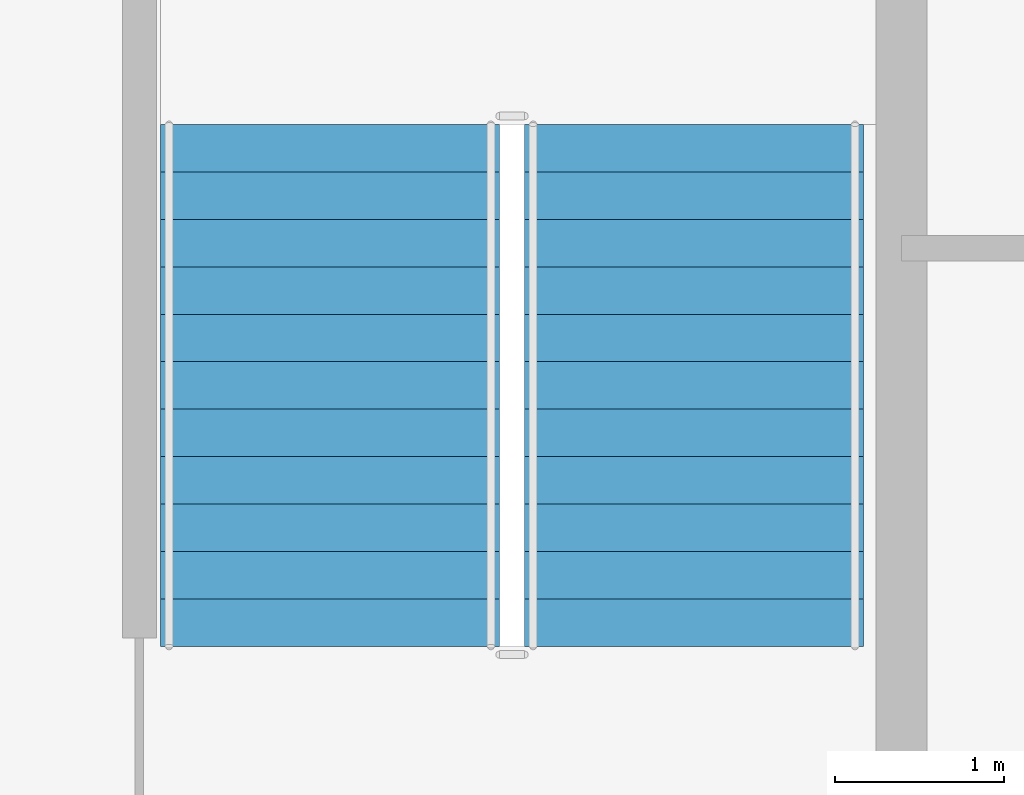
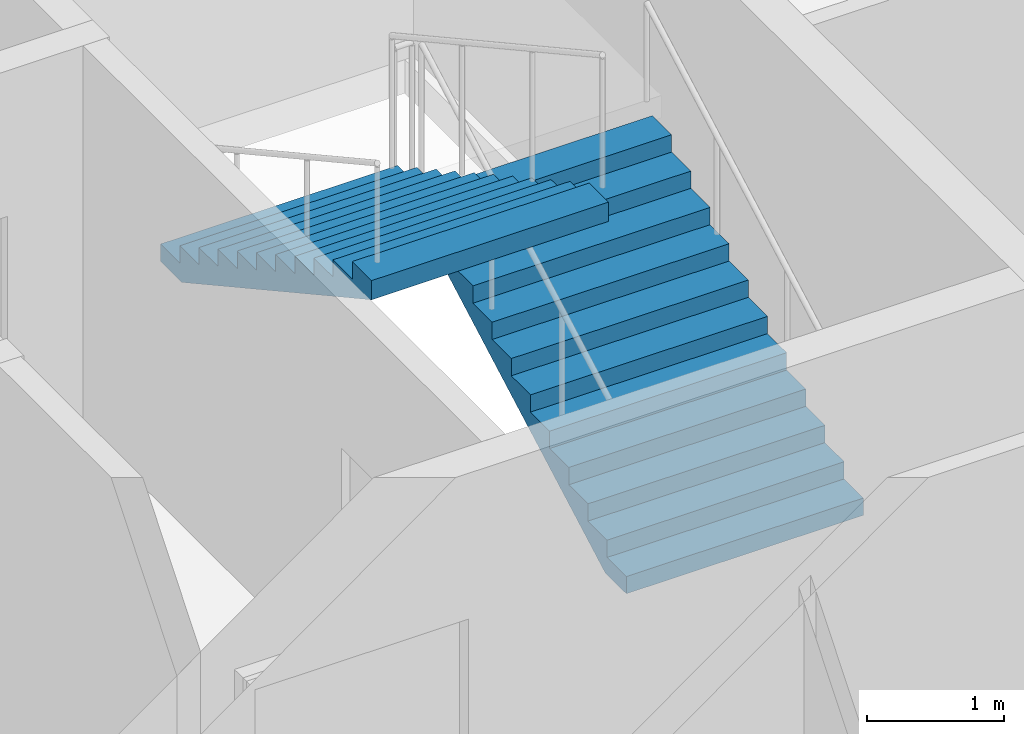
# One storey, part 12 of 18: 2 stair flights, 1 element without a shape of its own.
"""IFC4 building model written with IfcOpenShell, lengths in metres."""

from ifc_helpers import new_model, si_unit, direction, frame, origin, place, context, subcontext, project, spatial, polygons, material, type_object, element, aggregate, save


model = new_model("IFC4")

# Units and contexts
model_context = context("Model", 3, precision=1e-05, world=origin(), true_north=direction((0.0, 1.0)))
body_context = subcontext(model_context, "Body", "Model", "MODEL_VIEW")
ifc_project = project(units=[si_unit("LENGTHUNIT", "METRE"), si_unit("AREAUNIT", "SQUARE_METRE"), si_unit("VOLUMEUNIT", "CUBIC_METRE"), si_unit("PLANEANGLEUNIT", "RADIAN"), si_unit("MASSUNIT", "GRAM", prefix="KILO")], contexts=[model_context])

# Site, building, storey
site_placement = place(None, origin())
site = spatial("IfcSite", under=ifc_project, at=site_placement, CompositionType="ELEMENT")
building_placement = place(site_placement, origin())
building = spatial("IfcBuilding", under=site, at=building_placement, Name="Caravel Reach Hotel and Residences", CompositionType="ELEMENT")
storey_placement = place(building_placement, frame((0.0, 0.0, 176.5)))
storey = spatial("IfcBuildingStorey", under=building, at=storey_placement, Name="L44", CompositionType="ELEMENT", Elevation=176.5)

# Stair, stair flights
ifc_material_1 = material(Name="Concrete C40", Category="concrete")
stair_type = type_object("IfcStairType", Name="Core stair", PredefinedType="HALF_TURN_STAIR", material=ifc_material_1)
stair_placement = place(storey_placement, origin())
stair = element("IfcStair", 1, at=stair_placement, inside=storey, type_object=stair_type, Name="L44 Exit stair B", PredefinedType="HALF_TURN_STAIR")
ifc_material_2 = material(Name="Concrete C40", Category="concrete")
stair_flight_type = type_object("IfcStairFlightType", Name="Core stair flight", PredefinedType="STRAIGHT", material=ifc_material_2)
stair_flight_1_placement = place(storey_placement, frame((43.77490234375, 24.64990234375, 0.0), z_axis=(0.0, 0.0, 1.0), x_axis=(0.0, 1.0, 0.0)))
stair_flight_1 = element("IfcStairFlight", 2, at=stair_flight_1_placement, type_object=stair_flight_type, Name="ST-B flight 1", NumberOfRisers=12, NumberOfTreads=11, PredefinedType="STRAIGHT", RiserHeight=0.154166667, TreadLength=0.28, context=body_context, shape_type="Tessellation", body=[
    polygons([(0.3107950034306102, 1.0, 0.0), (0.3107950034306102, 0.6666666666666667, 0.0), (0.3107950034306102, 0.33333333333333337, 0.0), (0.3107950034306102, 0.0, 0.0), (0.3107950034306102, -0.33333333333333326, 0.0), (0.3107950034306102, -0.6666666666666667, 0.0), (0.3107950034306102, -1.0, 0.0), (3.081, 1.0, 1.524711087717319), (3.081, 0.6666666666666667, 1.524711087717319), (3.081, 0.33333333333333337, 1.524711087717319), (3.081, 0.0, 1.524711087717319), (3.081, -0.33333333333333326, 1.524711087717319), (3.081, -0.6666666666666667, 1.524711087717319), (3.081, -1.0, 1.524711087717319), (3.081, 1.0, 1.695833337), (3.081, 0.6666666666666667, 1.695833337), (3.081, 0.33333333333333337, 1.695833337), (3.081, 0.0, 1.695833337), (3.081, -0.33333333333333326, 1.695833337), (3.081, -0.6666666666666667, 1.695833337), (3.081, -1.0, 1.695833337), (2.8000000000000003, 1.0, 1.695833337), (2.8000000000000003, 0.6666666666666667, 1.695833337), (2.8000000000000003, 0.33333333333333337, 1.695833337), (2.8000000000000003, 0.0, 1.695833337), (2.8000000000000003, -0.33333333333333326, 1.695833337), (2.8000000000000003, -0.6666666666666667, 1.695833337), (2.8000000000000003, -1.0, 1.695833337), (2.8000000000000003, 1.0, 1.5416666700000001), (2.8000000000000003, 0.6666666666666667, 1.5416666700000001), (2.8000000000000003, 0.33333333333333337, 1.5416666700000001), (2.8000000000000003, 0.0, 1.5416666700000001), (2.8000000000000003, -0.33333333333333326, 1.5416666700000001), (2.8000000000000003, -0.6666666666666667, 1.5416666700000001), (2.8000000000000003, -1.0, 1.5416666700000001), (2.5200000000000005, 1.0, 1.5416666700000001), (2.5200000000000005, 0.6666666666666667, 1.5416666700000001), (2.5200000000000005, 0.33333333333333337, 1.5416666700000001), (2.5200000000000005, 0.0, 1.5416666700000001), (2.5200000000000005, -0.33333333333333326, 1.5416666700000001), (2.5200000000000005, -0.6666666666666667, 1.5416666700000001), (2.5200000000000005, -1.0, 1.5416666700000001), (2.5200000000000005, 1.0, 1.387500003), (2.5200000000000005, 0.6666666666666667, 1.387500003), (2.5200000000000005, 0.33333333333333337, 1.387500003), (2.5200000000000005, 0.0, 1.387500003), (2.5200000000000005, -0.33333333333333326, 1.387500003), (2.5200000000000005, -0.6666666666666667, 1.387500003), (2.5200000000000005, -1.0, 1.387500003), (2.24, 1.0, 1.387500003), (2.24, 0.6666666666666667, 1.387500003), (2.24, 0.33333333333333337, 1.387500003), (2.24, 0.0, 1.387500003), (2.24, -0.33333333333333326, 1.387500003), (2.24, -0.6666666666666667, 1.387500003), (2.24, -1.0, 1.387500003), (2.24, 1.0, 1.233333336), (2.24, 0.6666666666666667, 1.233333336), (2.24, 0.33333333333333337, 1.233333336), (2.24, 0.0, 1.233333336), (2.24, -0.33333333333333326, 1.233333336), (2.24, -0.6666666666666667, 1.233333336), (2.24, -1.0, 1.233333336), (1.9600000000000002, 1.0, 1.233333336), (1.9600000000000002, 0.6666666666666667, 1.233333336), (1.9600000000000002, 0.33333333333333337, 1.233333336), (1.9600000000000002, 0.0, 1.233333336), (1.9600000000000002, -0.33333333333333326, 1.233333336), (1.9600000000000002, -0.6666666666666667, 1.233333336), (1.9600000000000002, -1.0, 1.233333336), (1.9600000000000002, 1.0, 1.0791666690000001), (1.9600000000000002, 0.6666666666666667, 1.0791666690000001), (1.9600000000000002, 0.33333333333333337, 1.0791666690000001), (1.9600000000000002, 0.0, 1.0791666690000001), (1.9600000000000002, -0.33333333333333326, 1.0791666690000001), (1.9600000000000002, -0.6666666666666667, 1.0791666690000001), (1.9600000000000002, -1.0, 1.0791666690000001), (1.6800000000000002, 1.0, 1.0791666690000001), (1.6800000000000002, 0.6666666666666667, 1.0791666690000001), (1.6800000000000002, 0.33333333333333337, 1.0791666690000001), (1.6800000000000002, 0.0, 1.0791666690000001), (1.6800000000000002, -0.33333333333333326, 1.0791666690000001), (1.6800000000000002, -0.6666666666666667, 1.0791666690000001), (1.6800000000000002, -1.0, 1.0791666690000001), (1.6800000000000002, 1.0, 0.925000002), (1.6800000000000002, 0.6666666666666667, 0.925000002), (1.6800000000000002, 0.33333333333333337, 0.925000002), (1.6800000000000002, 0.0, 0.925000002), (1.6800000000000002, -0.33333333333333326, 0.925000002), (1.6800000000000002, -0.6666666666666667, 0.925000002), (1.6800000000000002, -1.0, 0.925000002), (1.4000000000000001, 1.0, 0.925000002), (1.4000000000000001, 0.6666666666666667, 0.925000002), (1.4000000000000001, 0.33333333333333337, 0.925000002), (1.4000000000000001, 0.0, 0.925000002), (1.4000000000000001, -0.33333333333333326, 0.925000002), (1.4000000000000001, -0.6666666666666667, 0.925000002), (1.4000000000000001, -1.0, 0.925000002), (1.4000000000000001, 1.0, 0.7708333350000001), (1.4000000000000001, 0.6666666666666667, 0.7708333350000001), (1.4000000000000001, 0.33333333333333337, 0.7708333350000001), (1.4000000000000001, 0.0, 0.7708333350000001), (1.4000000000000001, -0.33333333333333326, 0.7708333350000001), (1.4000000000000001, -0.6666666666666667, 0.7708333350000001), (1.4000000000000001, -1.0, 0.7708333350000001), (1.12, 1.0, 0.7708333350000001), (1.12, 0.6666666666666667, 0.7708333350000001), (1.12, 0.33333333333333337, 0.7708333350000001), (1.12, 0.0, 0.7708333350000001), (1.12, -0.33333333333333326, 0.7708333350000001), (1.12, -0.6666666666666667, 0.7708333350000001), (1.12, -1.0, 0.7708333350000001), (1.12, 1.0, 0.616666668), (1.12, 0.6666666666666667, 0.616666668), (1.12, 0.33333333333333337, 0.616666668), (1.12, 0.0, 0.616666668), (1.12, -0.33333333333333326, 0.616666668), (1.12, -0.6666666666666667, 0.616666668), (1.12, -1.0, 0.616666668), (0.8400000000000001, 1.0, 0.616666668), (0.8400000000000001, 0.6666666666666667, 0.616666668), (0.8400000000000001, 0.33333333333333337, 0.616666668), (0.8400000000000001, 0.0, 0.616666668), (0.8400000000000001, -0.33333333333333326, 0.616666668), (0.8400000000000001, -0.6666666666666667, 0.616666668), (0.8400000000000001, -1.0, 0.616666668), (0.8400000000000001, 1.0, 0.462500001), (0.8400000000000001, 0.6666666666666667, 0.462500001), (0.8400000000000001, 0.33333333333333337, 0.462500001), (0.8400000000000001, 0.0, 0.462500001), (0.8400000000000001, -0.33333333333333326, 0.462500001), (0.8400000000000001, -0.6666666666666667, 0.462500001), (0.8400000000000001, -1.0, 0.462500001), (0.56, 1.0, 0.462500001), (0.56, 0.6666666666666667, 0.462500001), (0.56, 0.33333333333333337, 0.462500001), (0.56, 0.0, 0.462500001), (0.56, -0.33333333333333326, 0.462500001), (0.56, -0.6666666666666667, 0.462500001), (0.56, -1.0, 0.462500001), (0.56, 1.0, 0.308333334), (0.56, 0.6666666666666667, 0.308333334), (0.56, 0.33333333333333337, 0.308333334), (0.56, 0.0, 0.308333334), (0.56, -0.33333333333333326, 0.308333334), (0.56, -0.6666666666666667, 0.308333334), (0.56, -1.0, 0.308333334), (0.28, 1.0, 0.308333334), (0.28, 0.6666666666666667, 0.308333334), (0.28, 0.33333333333333337, 0.308333334), (0.28, 0.0, 0.308333334), (0.28, -0.33333333333333326, 0.308333334), (0.28, -0.6666666666666667, 0.308333334), (0.28, -1.0, 0.308333334), (0.28, 1.0, 0.154166667), (0.28, 0.6666666666666667, 0.154166667), (0.28, 0.33333333333333337, 0.154166667), (0.28, 0.0, 0.154166667), (0.28, -0.33333333333333326, 0.154166667), (0.28, -0.6666666666666667, 0.154166667), (0.28, -1.0, 0.154166667), (-0.001, 1.0, 0.154166667), (-0.001, 0.6666666666666667, 0.154166667), (-0.001, 0.33333333333333337, 0.154166667), (-0.001, 0.0, 0.154166667), (-0.001, -0.33333333333333326, 0.154166667), (-0.001, -0.6666666666666667, 0.154166667), (-0.001, -1.0, 0.154166667), (-0.001, 1.0, 0.0), (-0.001, 0.6666666666666667, 0.0), (-0.001, 0.33333333333333337, 0.0), (-0.001, 0.0, 0.0), (-0.001, -0.33333333333333326, 0.0), (-0.001, -0.6666666666666667, 0.0), (-0.001, -1.0, 0.0)], [[[169, 162, 155, 148, 141, 134, 127, 120, 113, 106, 99, 92, 85, 78, 71, 64, 57, 50, 43, 36, 29, 22, 15, 8, 1]], [[7, 14, 21, 28, 35, 42, 49, 56, 63, 70, 77, 84, 91, 98, 105, 112, 119, 126, 133, 140, 147, 154, 161, 168, 175]], [[1, 8, 9, 2]], [[2, 9, 10, 3]], [[3, 10, 11, 4]], [[4, 11, 12, 5]], [[5, 12, 13, 6]], [[6, 13, 14, 7]], [[8, 15, 16, 9]], [[9, 16, 17, 10]], [[10, 17, 18, 11]], [[11, 18, 19, 12]], [[12, 19, 20, 13]], [[13, 20, 21, 14]], [[15, 22, 23, 16]], [[16, 23, 24, 17]], [[17, 24, 25, 18]], [[18, 25, 26, 19]], [[19, 26, 27, 20]], [[20, 27, 28, 21]], [[22, 29, 30, 23]], [[23, 30, 31, 24]], [[24, 31, 32, 25]], [[25, 32, 33, 26]], [[26, 33, 34, 27]], [[27, 34, 35, 28]], [[29, 36, 37, 30]], [[30, 37, 38, 31]], [[31, 38, 39, 32]], [[32, 39, 40, 33]], [[33, 40, 41, 34]], [[34, 41, 42, 35]], [[36, 43, 44, 37]], [[37, 44, 45, 38]], [[38, 45, 46, 39]], [[39, 46, 47, 40]], [[40, 47, 48, 41]], [[41, 48, 49, 42]], [[43, 50, 51, 44]], [[44, 51, 52, 45]], [[45, 52, 53, 46]], [[46, 53, 54, 47]], [[47, 54, 55, 48]], [[48, 55, 56, 49]], [[50, 57, 58, 51]], [[51, 58, 59, 52]], [[52, 59, 60, 53]], [[53, 60, 61, 54]], [[54, 61, 62, 55]], [[55, 62, 63, 56]], [[57, 64, 65, 58]], [[58, 65, 66, 59]], [[59, 66, 67, 60]], [[60, 67, 68, 61]], [[61, 68, 69, 62]], [[62, 69, 70, 63]], [[64, 71, 72, 65]], [[65, 72, 73, 66]], [[66, 73, 74, 67]], [[67, 74, 75, 68]], [[68, 75, 76, 69]], [[69, 76, 77, 70]], [[71, 78, 79, 72]], [[72, 79, 80, 73]], [[73, 80, 81, 74]], [[74, 81, 82, 75]], [[75, 82, 83, 76]], [[76, 83, 84, 77]], [[78, 85, 86, 79]], [[79, 86, 87, 80]], [[80, 87, 88, 81]], [[81, 88, 89, 82]], [[82, 89, 90, 83]], [[83, 90, 91, 84]], [[85, 92, 93, 86]], [[86, 93, 94, 87]], [[87, 94, 95, 88]], [[88, 95, 96, 89]], [[89, 96, 97, 90]], [[90, 97, 98, 91]], [[92, 99, 100, 93]], [[93, 100, 101, 94]], [[94, 101, 102, 95]], [[95, 102, 103, 96]], [[96, 103, 104, 97]], [[97, 104, 105, 98]], [[99, 106, 107, 100]], [[100, 107, 108, 101]], [[101, 108, 109, 102]], [[102, 109, 110, 103]], [[103, 110, 111, 104]], [[104, 111, 112, 105]], [[106, 113, 114, 107]], [[107, 114, 115, 108]], [[108, 115, 116, 109]], [[109, 116, 117, 110]], [[110, 117, 118, 111]], [[111, 118, 119, 112]], [[113, 120, 121, 114]], [[114, 121, 122, 115]], [[115, 122, 123, 116]], [[116, 123, 124, 117]], [[117, 124, 125, 118]], [[118, 125, 126, 119]], [[120, 127, 128, 121]], [[121, 128, 129, 122]], [[122, 129, 130, 123]], [[123, 130, 131, 124]], [[124, 131, 132, 125]], [[125, 132, 133, 126]], [[127, 134, 135, 128]], [[128, 135, 136, 129]], [[129, 136, 137, 130]], [[130, 137, 138, 131]], [[131, 138, 139, 132]], [[132, 139, 140, 133]], [[134, 141, 142, 135]], [[135, 142, 143, 136]], [[136, 143, 144, 137]], [[137, 144, 145, 138]], [[138, 145, 146, 139]], [[139, 146, 147, 140]], [[141, 148, 149, 142]], [[142, 149, 150, 143]], [[143, 150, 151, 144]], [[144, 151, 152, 145]], [[145, 152, 153, 146]], [[146, 153, 154, 147]], [[148, 155, 156, 149]], [[149, 156, 157, 150]], [[150, 157, 158, 151]], [[151, 158, 159, 152]], [[152, 159, 160, 153]], [[153, 160, 161, 154]], [[155, 162, 163, 156]], [[156, 163, 164, 157]], [[157, 164, 165, 158]], [[158, 165, 166, 159]], [[159, 166, 167, 160]], [[160, 167, 168, 161]], [[162, 169, 170, 163]], [[163, 170, 171, 164]], [[164, 171, 172, 165]], [[165, 172, 173, 166]], [[166, 173, 174, 167]], [[167, 174, 175, 168]], [[169, 1, 2, 170]], [[170, 2, 3, 171]], [[171, 3, 4, 172]], [[172, 4, 5, 173]], [[173, 5, 6, 174]], [[174, 6, 7, 175]]], closed=True),
])
stair_flight_2_placement = place(storey_placement, frame((41.625, 27.72998046875, 1.85009765625), z_axis=(0.0, 0.0, 1.0), x_axis=(0.0, -1.0, 0.0)))
stair_flight_2 = element("IfcStairFlight", 3, at=stair_flight_2_placement, type_object=stair_flight_type, Name="ST-B flight 2", NumberOfRisers=12, NumberOfTreads=11, PredefinedType="STRAIGHT", RiserHeight=0.154166667, TreadLength=0.28, context=body_context, shape_type="Tessellation", body=[
    polygons([(0.3107950034306102, 1.0, 0.0), (0.3107950034306102, 0.6666666666666667, 0.0), (0.3107950034306102, 0.33333333333333337, 0.0), (0.3107950034306102, 0.0, 0.0), (0.3107950034306102, -0.33333333333333326, 0.0), (0.3107950034306102, -0.6666666666666667, 0.0), (0.3107950034306102, -1.0, 0.0), (3.081, 1.0, 1.524711087717319), (3.081, 0.6666666666666667, 1.524711087717319), (3.081, 0.33333333333333337, 1.524711087717319), (3.081, 0.0, 1.524711087717319), (3.081, -0.33333333333333326, 1.524711087717319), (3.081, -0.6666666666666667, 1.524711087717319), (3.081, -1.0, 1.524711087717319), (3.081, 1.0, 1.695833337), (3.081, 0.6666666666666667, 1.695833337), (3.081, 0.33333333333333337, 1.695833337), (3.081, 0.0, 1.695833337), (3.081, -0.33333333333333326, 1.695833337), (3.081, -0.6666666666666667, 1.695833337), (3.081, -1.0, 1.695833337), (2.8000000000000003, 1.0, 1.695833337), (2.8000000000000003, 0.6666666666666667, 1.695833337), (2.8000000000000003, 0.33333333333333337, 1.695833337), (2.8000000000000003, 0.0, 1.695833337), (2.8000000000000003, -0.33333333333333326, 1.695833337), (2.8000000000000003, -0.6666666666666667, 1.695833337), (2.8000000000000003, -1.0, 1.695833337), (2.8000000000000003, 1.0, 1.5416666700000001), (2.8000000000000003, 0.6666666666666667, 1.5416666700000001), (2.8000000000000003, 0.33333333333333337, 1.5416666700000001), (2.8000000000000003, 0.0, 1.5416666700000001), (2.8000000000000003, -0.33333333333333326, 1.5416666700000001), (2.8000000000000003, -0.6666666666666667, 1.5416666700000001), (2.8000000000000003, -1.0, 1.5416666700000001), (2.5200000000000005, 1.0, 1.5416666700000001), (2.5200000000000005, 0.6666666666666667, 1.5416666700000001), (2.5200000000000005, 0.33333333333333337, 1.5416666700000001), (2.5200000000000005, 0.0, 1.5416666700000001), (2.5200000000000005, -0.33333333333333326, 1.5416666700000001), (2.5200000000000005, -0.6666666666666667, 1.5416666700000001), (2.5200000000000005, -1.0, 1.5416666700000001), (2.5200000000000005, 1.0, 1.387500003), (2.5200000000000005, 0.6666666666666667, 1.387500003), (2.5200000000000005, 0.33333333333333337, 1.387500003), (2.5200000000000005, 0.0, 1.387500003), (2.5200000000000005, -0.33333333333333326, 1.387500003), (2.5200000000000005, -0.6666666666666667, 1.387500003), (2.5200000000000005, -1.0, 1.387500003), (2.24, 1.0, 1.387500003), (2.24, 0.6666666666666667, 1.387500003), (2.24, 0.33333333333333337, 1.387500003), (2.24, 0.0, 1.387500003), (2.24, -0.33333333333333326, 1.387500003), (2.24, -0.6666666666666667, 1.387500003), (2.24, -1.0, 1.387500003), (2.24, 1.0, 1.233333336), (2.24, 0.6666666666666667, 1.233333336), (2.24, 0.33333333333333337, 1.233333336), (2.24, 0.0, 1.233333336), (2.24, -0.33333333333333326, 1.233333336), (2.24, -0.6666666666666667, 1.233333336), (2.24, -1.0, 1.233333336), (1.9600000000000002, 1.0, 1.233333336), (1.9600000000000002, 0.6666666666666667, 1.233333336), (1.9600000000000002, 0.33333333333333337, 1.233333336), (1.9600000000000002, 0.0, 1.233333336), (1.9600000000000002, -0.33333333333333326, 1.233333336), (1.9600000000000002, -0.6666666666666667, 1.233333336), (1.9600000000000002, -1.0, 1.233333336), (1.9600000000000002, 1.0, 1.0791666690000001), (1.9600000000000002, 0.6666666666666667, 1.0791666690000001), (1.9600000000000002, 0.33333333333333337, 1.0791666690000001), (1.9600000000000002, 0.0, 1.0791666690000001), (1.9600000000000002, -0.33333333333333326, 1.0791666690000001), (1.9600000000000002, -0.6666666666666667, 1.0791666690000001), (1.9600000000000002, -1.0, 1.0791666690000001), (1.6800000000000002, 1.0, 1.0791666690000001), (1.6800000000000002, 0.6666666666666667, 1.0791666690000001), (1.6800000000000002, 0.33333333333333337, 1.0791666690000001), (1.6800000000000002, 0.0, 1.0791666690000001), (1.6800000000000002, -0.33333333333333326, 1.0791666690000001), (1.6800000000000002, -0.6666666666666667, 1.0791666690000001), (1.6800000000000002, -1.0, 1.0791666690000001), (1.6800000000000002, 1.0, 0.925000002), (1.6800000000000002, 0.6666666666666667, 0.925000002), (1.6800000000000002, 0.33333333333333337, 0.925000002), (1.6800000000000002, 0.0, 0.925000002), (1.6800000000000002, -0.33333333333333326, 0.925000002), (1.6800000000000002, -0.6666666666666667, 0.925000002), (1.6800000000000002, -1.0, 0.925000002), (1.4000000000000001, 1.0, 0.925000002), (1.4000000000000001, 0.6666666666666667, 0.925000002), (1.4000000000000001, 0.33333333333333337, 0.925000002), (1.4000000000000001, 0.0, 0.925000002), (1.4000000000000001, -0.33333333333333326, 0.925000002), (1.4000000000000001, -0.6666666666666667, 0.925000002), (1.4000000000000001, -1.0, 0.925000002), (1.4000000000000001, 1.0, 0.7708333350000001), (1.4000000000000001, 0.6666666666666667, 0.7708333350000001), (1.4000000000000001, 0.33333333333333337, 0.7708333350000001), (1.4000000000000001, 0.0, 0.7708333350000001), (1.4000000000000001, -0.33333333333333326, 0.7708333350000001), (1.4000000000000001, -0.6666666666666667, 0.7708333350000001), (1.4000000000000001, -1.0, 0.7708333350000001), (1.12, 1.0, 0.7708333350000001), (1.12, 0.6666666666666667, 0.7708333350000001), (1.12, 0.33333333333333337, 0.7708333350000001), (1.12, 0.0, 0.7708333350000001), (1.12, -0.33333333333333326, 0.7708333350000001), (1.12, -0.6666666666666667, 0.7708333350000001), (1.12, -1.0, 0.7708333350000001), (1.12, 1.0, 0.616666668), (1.12, 0.6666666666666667, 0.616666668), (1.12, 0.33333333333333337, 0.616666668), (1.12, 0.0, 0.616666668), (1.12, -0.33333333333333326, 0.616666668), (1.12, -0.6666666666666667, 0.616666668), (1.12, -1.0, 0.616666668), (0.8400000000000001, 1.0, 0.616666668), (0.8400000000000001, 0.6666666666666667, 0.616666668), (0.8400000000000001, 0.33333333333333337, 0.616666668), (0.8400000000000001, 0.0, 0.616666668), (0.8400000000000001, -0.33333333333333326, 0.616666668), (0.8400000000000001, -0.6666666666666667, 0.616666668), (0.8400000000000001, -1.0, 0.616666668), (0.8400000000000001, 1.0, 0.462500001), (0.8400000000000001, 0.6666666666666667, 0.462500001), (0.8400000000000001, 0.33333333333333337, 0.462500001), (0.8400000000000001, 0.0, 0.462500001), (0.8400000000000001, -0.33333333333333326, 0.462500001), (0.8400000000000001, -0.6666666666666667, 0.462500001), (0.8400000000000001, -1.0, 0.462500001), (0.56, 1.0, 0.462500001), (0.56, 0.6666666666666667, 0.462500001), (0.56, 0.33333333333333337, 0.462500001), (0.56, 0.0, 0.462500001), (0.56, -0.33333333333333326, 0.462500001), (0.56, -0.6666666666666667, 0.462500001), (0.56, -1.0, 0.462500001), (0.56, 1.0, 0.308333334), (0.56, 0.6666666666666667, 0.308333334), (0.56, 0.33333333333333337, 0.308333334), (0.56, 0.0, 0.308333334), (0.56, -0.33333333333333326, 0.308333334), (0.56, -0.6666666666666667, 0.308333334), (0.56, -1.0, 0.308333334), (0.28, 1.0, 0.308333334), (0.28, 0.6666666666666667, 0.308333334), (0.28, 0.33333333333333337, 0.308333334), (0.28, 0.0, 0.308333334), (0.28, -0.33333333333333326, 0.308333334), (0.28, -0.6666666666666667, 0.308333334), (0.28, -1.0, 0.308333334), (0.28, 1.0, 0.154166667), (0.28, 0.6666666666666667, 0.154166667), (0.28, 0.33333333333333337, 0.154166667), (0.28, 0.0, 0.154166667), (0.28, -0.33333333333333326, 0.154166667), (0.28, -0.6666666666666667, 0.154166667), (0.28, -1.0, 0.154166667), (-0.001, 1.0, 0.154166667), (-0.001, 0.6666666666666667, 0.154166667), (-0.001, 0.33333333333333337, 0.154166667), (-0.001, 0.0, 0.154166667), (-0.001, -0.33333333333333326, 0.154166667), (-0.001, -0.6666666666666667, 0.154166667), (-0.001, -1.0, 0.154166667), (-0.001, 1.0, 0.0), (-0.001, 0.6666666666666667, 0.0), (-0.001, 0.33333333333333337, 0.0), (-0.001, 0.0, 0.0), (-0.001, -0.33333333333333326, 0.0), (-0.001, -0.6666666666666667, 0.0), (-0.001, -1.0, 0.0)], [[[169, 162, 155, 148, 141, 134, 127, 120, 113, 106, 99, 92, 85, 78, 71, 64, 57, 50, 43, 36, 29, 22, 15, 8, 1]], [[7, 14, 21, 28, 35, 42, 49, 56, 63, 70, 77, 84, 91, 98, 105, 112, 119, 126, 133, 140, 147, 154, 161, 168, 175]], [[1, 8, 9, 2]], [[2, 9, 10, 3]], [[3, 10, 11, 4]], [[4, 11, 12, 5]], [[5, 12, 13, 6]], [[6, 13, 14, 7]], [[8, 15, 16, 9]], [[9, 16, 17, 10]], [[10, 17, 18, 11]], [[11, 18, 19, 12]], [[12, 19, 20, 13]], [[13, 20, 21, 14]], [[15, 22, 23, 16]], [[16, 23, 24, 17]], [[17, 24, 25, 18]], [[18, 25, 26, 19]], [[19, 26, 27, 20]], [[20, 27, 28, 21]], [[22, 29, 30, 23]], [[23, 30, 31, 24]], [[24, 31, 32, 25]], [[25, 32, 33, 26]], [[26, 33, 34, 27]], [[27, 34, 35, 28]], [[29, 36, 37, 30]], [[30, 37, 38, 31]], [[31, 38, 39, 32]], [[32, 39, 40, 33]], [[33, 40, 41, 34]], [[34, 41, 42, 35]], [[36, 43, 44, 37]], [[37, 44, 45, 38]], [[38, 45, 46, 39]], [[39, 46, 47, 40]], [[40, 47, 48, 41]], [[41, 48, 49, 42]], [[43, 50, 51, 44]], [[44, 51, 52, 45]], [[45, 52, 53, 46]], [[46, 53, 54, 47]], [[47, 54, 55, 48]], [[48, 55, 56, 49]], [[50, 57, 58, 51]], [[51, 58, 59, 52]], [[52, 59, 60, 53]], [[53, 60, 61, 54]], [[54, 61, 62, 55]], [[55, 62, 63, 56]], [[57, 64, 65, 58]], [[58, 65, 66, 59]], [[59, 66, 67, 60]], [[60, 67, 68, 61]], [[61, 68, 69, 62]], [[62, 69, 70, 63]], [[64, 71, 72, 65]], [[65, 72, 73, 66]], [[66, 73, 74, 67]], [[67, 74, 75, 68]], [[68, 75, 76, 69]], [[69, 76, 77, 70]], [[71, 78, 79, 72]], [[72, 79, 80, 73]], [[73, 80, 81, 74]], [[74, 81, 82, 75]], [[75, 82, 83, 76]], [[76, 83, 84, 77]], [[78, 85, 86, 79]], [[79, 86, 87, 80]], [[80, 87, 88, 81]], [[81, 88, 89, 82]], [[82, 89, 90, 83]], [[83, 90, 91, 84]], [[85, 92, 93, 86]], [[86, 93, 94, 87]], [[87, 94, 95, 88]], [[88, 95, 96, 89]], [[89, 96, 97, 90]], [[90, 97, 98, 91]], [[92, 99, 100, 93]], [[93, 100, 101, 94]], [[94, 101, 102, 95]], [[95, 102, 103, 96]], [[96, 103, 104, 97]], [[97, 104, 105, 98]], [[99, 106, 107, 100]], [[100, 107, 108, 101]], [[101, 108, 109, 102]], [[102, 109, 110, 103]], [[103, 110, 111, 104]], [[104, 111, 112, 105]], [[106, 113, 114, 107]], [[107, 114, 115, 108]], [[108, 115, 116, 109]], [[109, 116, 117, 110]], [[110, 117, 118, 111]], [[111, 118, 119, 112]], [[113, 120, 121, 114]], [[114, 121, 122, 115]], [[115, 122, 123, 116]], [[116, 123, 124, 117]], [[117, 124, 125, 118]], [[118, 125, 126, 119]], [[120, 127, 128, 121]], [[121, 128, 129, 122]], [[122, 129, 130, 123]], [[123, 130, 131, 124]], [[124, 131, 132, 125]], [[125, 132, 133, 126]], [[127, 134, 135, 128]], [[128, 135, 136, 129]], [[129, 136, 137, 130]], [[130, 137, 138, 131]], [[131, 138, 139, 132]], [[132, 139, 140, 133]], [[134, 141, 142, 135]], [[135, 142, 143, 136]], [[136, 143, 144, 137]], [[137, 144, 145, 138]], [[138, 145, 146, 139]], [[139, 146, 147, 140]], [[141, 148, 149, 142]], [[142, 149, 150, 143]], [[143, 150, 151, 144]], [[144, 151, 152, 145]], [[145, 152, 153, 146]], [[146, 153, 154, 147]], [[148, 155, 156, 149]], [[149, 156, 157, 150]], [[150, 157, 158, 151]], [[151, 158, 159, 152]], [[152, 159, 160, 153]], [[153, 160, 161, 154]], [[155, 162, 163, 156]], [[156, 163, 164, 157]], [[157, 164, 165, 158]], [[158, 165, 166, 159]], [[159, 166, 167, 160]], [[160, 167, 168, 161]], [[162, 169, 170, 163]], [[163, 170, 171, 164]], [[164, 171, 172, 165]], [[165, 172, 173, 166]], [[166, 173, 174, 167]], [[167, 174, 175, 168]], [[169, 1, 2, 170]], [[170, 2, 3, 171]], [[171, 3, 4, 172]], [[172, 4, 5, 173]], [[173, 5, 6, 174]], [[174, 6, 7, 175]]], closed=True),
])
aggregate(stair, [stair_flight_1, stair_flight_2])

save(model, "model.ifc")
